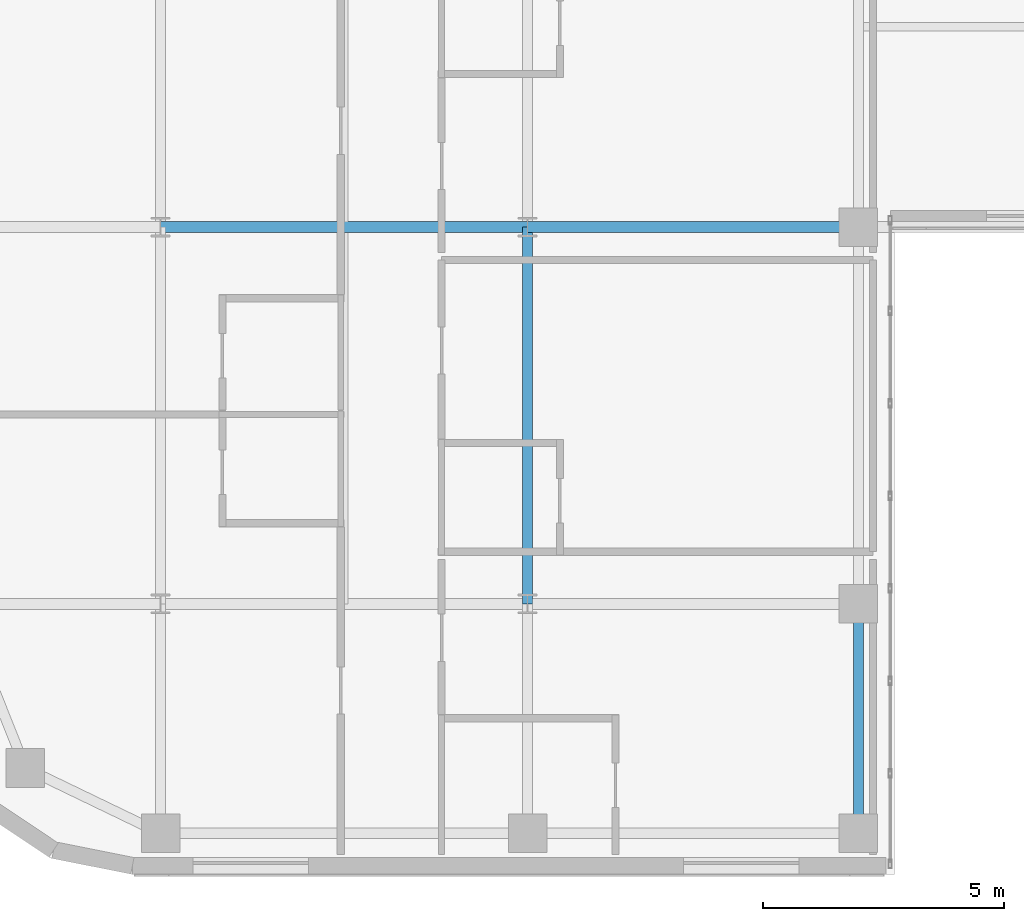
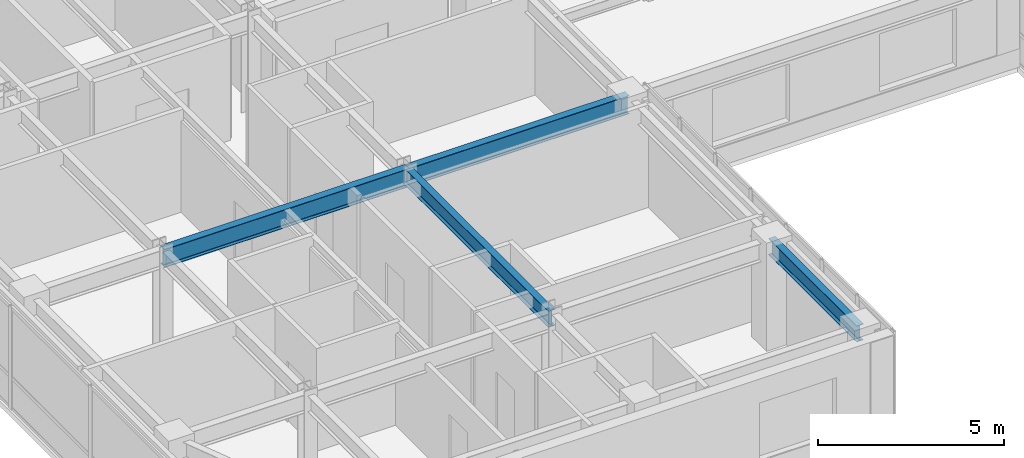
# One storey, part 6 of 28: 4 beams.
"""IFC4 building model written with IfcOpenShell, lengths in metres."""

import ifcopenshell
import ifcopenshell.guid

model = None  # the IFC model being written
_history = None  # IfcOwnerHistory: only IFC2X3 demands one
_inside = {}  # id of a spatial element -> (the spatial element, [elements in it])
_under = {}  # id of a project, library or spatial element -> (it, [spatial elements below it])
_declared = {}  # id of a project -> (the project, [libraries it declares])
_typed = {}  # id of a type object -> (the type object, [elements of that type])
_made_of = {}  # id of a material, layer set ... -> (it, [elements and type objects made of it])


def new_model(schema):
    """Start an empty IFC model of exactly this schema.

    Asked for "IFC4X3", IfcOpenShell would pick the latest addendum, in which some entities
    have other attributes; the version numbers below select the first issue.
    IFC2X3 requires an IfcOwnerHistory on every rooted entity: one is made here for all.
    """
    global model, _history
    if schema == "IFC4X3":
        model = ifcopenshell.file(schema_version=(4, 3, 0, 0))
    else:
        model = ifcopenshell.file(schema=schema)
    _inside.clear()
    _under.clear()
    _declared.clear()
    _typed.clear()
    _made_of.clear()
    _history = None
    if model.schema == "IFC2X3":
        org = make("IfcOrganization", Name="unknown")
        user = make(
            "IfcPersonAndOrganization",
            ThePerson=make("IfcPerson", FamilyName="unknown"),
            TheOrganization=org,
        )
        app = make(
            "IfcApplication",
            ApplicationDeveloper=org,
            Version="unknown",
            ApplicationFullName="unknown",
            ApplicationIdentifier="unknown",
        )
        _history = make(
            "IfcOwnerHistory",
            OwningUser=user,
            OwningApplication=app,
            ChangeAction="ADDED",
            CreationDate=0,
        )
    return model


def make(cls, **values):
    """One entity of the class cls with the attributes given. An attribute that is None is left unset."""
    return model.create_entity(
        cls, **{name: value for name, value in values.items() if value is not None}
    )


def rooted(cls, **values):
    """An entity with a GlobalId (a new one), such as an element, a storey or a relation."""
    return make(cls, GlobalId=ifcopenshell.guid.new(), OwnerHistory=_history, **values)


def si_unit(unit_type, name, prefix=None):
    """IfcSIUnit, for example si_unit("LENGTHUNIT", "METRE", prefix="MILLI")."""
    return make("IfcSIUnit", UnitType=unit_type, Prefix=prefix, Name=name)


def assignment(units):
    """IfcUnitAssignment: the units of a project."""
    return None if units is None else make("IfcUnitAssignment", Units=units)


def point(xyz):
    """IfcCartesianPoint."""
    return None if xyz is None else make("IfcCartesianPoint", Coordinates=xyz)


def direction(xyz):
    """IfcDirection."""
    return None if xyz is None else make("IfcDirection", DirectionRatios=xyz)


def frame(location, z_axis=None, x_axis=None):
    """IfcAxis2Placement3D, a coordinate frame: its origin and axes. An axis left out is left unset."""
    return make(
        "IfcAxis2Placement3D",
        Location=point(location),
        Axis=direction(z_axis),
        RefDirection=direction(x_axis),
    )


def frame_2d(location, x_axis=None):
    """IfcAxis2Placement2D, a coordinate frame in the plane: its origin and x axis."""
    return make(
        "IfcAxis2Placement2D", Location=point(location), RefDirection=direction(x_axis)
    )


def origin():
    """The frame at (0, 0, 0) with its axes left unset."""
    return frame((0.0, 0.0, 0.0))


def origin_2d():
    """The frame at (0, 0) in the plane with its x axis left unset."""
    return frame_2d((0.0, 0.0))


def place(relative_to, where):
    """IfcLocalPlacement: puts the frame where relative to a parent placement (None: the world)."""
    return make(
        "IfcLocalPlacement", PlacementRelTo=relative_to, RelativePlacement=where
    )


def context(
    kind, dimensions, precision=None, world=None, true_north=None, identifier=None
):
    """IfcGeometricRepresentationContext, for example the 3D "Model" context."""
    return make(
        "IfcGeometricRepresentationContext",
        ContextIdentifier=identifier,
        ContextType=kind,
        CoordinateSpaceDimension=dimensions,
        Precision=precision,
        WorldCoordinateSystem=world,
        TrueNorth=true_north,
    )


def subcontext(parent, identifier, kind, view, scale=None):
    """IfcGeometricRepresentationSubContext, for example "Body" below "Model"."""
    return make(
        "IfcGeometricRepresentationSubContext",
        ContextIdentifier=identifier,
        ContextType=kind,
        ParentContext=parent,
        TargetScale=scale,
        TargetView=view,
    )


def project(units=None, contexts=None):
    """IfcProject with its units and contexts."""
    return rooted(
        "IfcProject",
        Name="project",
        RepresentationContexts=contexts,
        UnitsInContext=assignment(units),
    )


def spatial(cls, under=None, at=None, **own):
    """A site, building, storey or space (cls), placed at a placement, below another one or the project."""
    s = rooted(cls, ObjectPlacement=at, **own)
    if under is not None:
        _under.setdefault(under.id(), (under, []))[1].append(s)
    return s


def profile(cls, at=None, kind="AREA", **sizes):
    """A parametric profile (cls). Its sizes go by their IFC names, for example OverallWidth=200.0."""
    return make(cls, ProfileType=kind, Position=at, **sizes)


def i_section(**sizes):
    """IfcIShapeProfileDef."""
    return profile("IfcIShapeProfileDef", **sizes)


def extrude(swept, where, along, depth):
    """IfcExtrudedAreaSolid: the profile swept, set in the frame where, extruded along a direction by depth."""
    return make(
        "IfcExtrudedAreaSolid",
        SweptArea=swept,
        Position=where,
        ExtrudedDirection=direction(along),
        Depth=depth,
    )


def shape(context_of_items, identifier, shape_type, items):
    """IfcShapeRepresentation: the items that make up one representation, for example the "Body"."""
    return make(
        "IfcShapeRepresentation",
        ContextOfItems=context_of_items,
        RepresentationIdentifier=identifier,
        RepresentationType=shape_type,
        Items=items,
    )


def source(mapping_origin, context_of_items, identifier, shape_type, items):
    """IfcRepresentationMap: a shape defined once, which mapped items show again and again."""
    return make(
        "IfcRepresentationMap",
        MappingOrigin=mapping_origin,
        MappedRepresentation=shape(context_of_items, identifier, shape_type, items),
    )


def transform(
    local_origin,
    x_axis=None,
    y_axis=None,
    z_axis=None,
    scale=None,
    scale2=None,
    scale3=None,
    uniform=True,
):
    """IfcCartesianTransformationOperator3D, or its non-uniform kind. x_axis, y_axis, z_axis: its Axis1, 2, 3."""
    if uniform:
        return make(
            "IfcCartesianTransformationOperator3D",
            Axis1=direction(x_axis),
            Axis2=direction(y_axis),
            LocalOrigin=point(local_origin),
            Scale=scale,
            Axis3=direction(z_axis),
        )
    return make(
        "IfcCartesianTransformationOperator3DnonUniform",
        Axis1=direction(x_axis),
        Axis2=direction(y_axis),
        LocalOrigin=point(local_origin),
        Scale=scale,
        Axis3=direction(z_axis),
        Scale2=scale2,
        Scale3=scale3,
    )


def mapped(mapping_source, mapping_target):
    """IfcMappedItem: shows the shape of a source again, moved by a transform."""
    return make(
        "IfcMappedItem", MappingSource=mapping_source, MappingTarget=mapping_target
    )


def material(Name=None, Category=None):
    """IfcMaterial."""
    return make("IfcMaterial", Name=Name, Category=Category)


def material_profile(
    of_material, cross_section, Name=None, Category=None, Priority=None
):
    """IfcMaterialProfile: a cross section and its material."""
    return make(
        "IfcMaterialProfile",
        Name=Name,
        Material=of_material,
        Profile=cross_section,
        Priority=Priority,
        Category=Category,
    )


def profile_set(profiles, Name=None, composite=None):
    """IfcMaterialProfileSet."""
    return make(
        "IfcMaterialProfileSet",
        Name=Name,
        MaterialProfiles=profiles,
        CompositeProfile=composite,
    )


def made_of(thing, what):
    """Note that an element or type object is made of a material, layer set ...; save() writes the relation."""
    if what is not None:
        _made_of.setdefault(what.id(), (what, []))[1].append(thing)
    return thing


def type_object(cls, material=None, **own):
    """A type object (cls), such as IfcWallType, which elements share."""
    return made_of(rooted(cls, **own), material)


def type_shapes(of_type, sources):
    """Give a type object the sources (RepresentationMaps) that its elements show as mapped items."""
    of_type.RepresentationMaps = sources


def element(
    cls,
    number,
    at=None,
    inside=None,
    cuts=None,
    type_object=None,
    material=None,
    context=None,
    identifier="Body",
    shape_type=None,
    held_by="IfcProductDefinitionShape",
    body=None,
    shapes=None,
    **own,
):
    """One element of the class cls, such as IfcWall. Its Tag is "e" and its number.

    at: its placement. inside: the storey or other place that contains it. cuts: it is an
    opening in that element (IfcRelVoidsElement). A single representation is given by context,
    identifier, shape_type and body (its items); several are given by shapes. held_by: the class
    of the entity that holds the representations. save() writes the other relations.
    """
    e = rooted(cls, Tag="e%d" % number, ObjectPlacement=at, **own)
    if body is not None:
        shapes = [shape(context, identifier, shape_type, body)]
    if shapes is not None:
        e.Representation = make(held_by, Representations=shapes)
    if inside is not None:
        _inside.setdefault(inside.id(), (inside, []))[1].append(e)
    if cuts is not None:
        rooted(
            "IfcRelVoidsElement", RelatingBuildingElement=cuts, RelatedOpeningElement=e
        )
    if type_object is not None:
        _typed.setdefault(type_object.id(), (type_object, []))[1].append(e)
    return made_of(e, material)


def aggregate(whole, parts):
    """IfcRelAggregates: a whole, such as a stair, and the parts it consists of."""
    return rooted("IfcRelAggregates", RelatingObject=whole, RelatedObjects=parts)


def save(model, path):
    """Write the relations noted so far, then the file.

    IfcRelAggregates (storeys below a building ...), IfcRelContainedInSpatialStructure (elements
    in a storey), IfcRelDefinesByType, IfcRelAssociatesMaterial and IfcRelDeclares: one each for
    every whole, place, type object, material and project.
    """
    for whole, parts in _under.values():
        aggregate(whole, parts)
    for where, things in _inside.values():
        rooted(
            "IfcRelContainedInSpatialStructure",
            RelatedElements=things,
            RelatingStructure=where,
        )
    for kind, things in _typed.values():
        rooted("IfcRelDefinesByType", RelatedObjects=things, RelatingType=kind)
    for what, things in _made_of.values():
        rooted("IfcRelAssociatesMaterial", RelatedObjects=things, RelatingMaterial=what)
    for by, libraries in _declared.values():
        rooted("IfcRelDeclares", RelatingContext=by, RelatedDefinitions=libraries)
    model.write(path)


model = new_model("IFC4")

# Units and contexts
model_context = context("Model", 3, precision=1e-05, world=origin(), true_north=direction((0.0, 1.0)))
body_context = subcontext(model_context, "Body", "Model", "MODEL_VIEW")
ifc_project = project(units=[si_unit("LENGTHUNIT", "METRE"), si_unit("AREAUNIT", "SQUARE_METRE"), si_unit("VOLUMEUNIT", "CUBIC_METRE"), si_unit("PLANEANGLEUNIT", "RADIAN"), si_unit("MASSUNIT", "GRAM", prefix="KILO")], contexts=[model_context])

# Site, building, storey
site_placement = place(None, origin())
site = spatial("IfcSite", under=ifc_project, at=site_placement, CompositionType="ELEMENT")
building_placement = place(site_placement, origin())
building = spatial("IfcBuilding", under=site, at=building_placement, Name="Tolvann Quenvar Hotel", CompositionType="ELEMENT")
storey_placement = place(building_placement, frame((0.0, 0.0, 198.199951171875)))
storey = spatial("IfcBuildingStorey", under=building, at=storey_placement, Name="L52", CompositionType="ELEMENT", Elevation=198.199951171875)

# Beams
ifc_material = material(Name="Steel Grade 350", Category="steel")
ifc_material_profile_1 = material_profile(ifc_material, i_section(OverallWidth=0.208984375, OverallDepth=0.532958984375, WebThickness=0.01025390625, FlangeThickness=0.015625, FilletRadius=0.013916015625, at=origin_2d()), Name="530UB92")
ifc_profile_set_1 = profile_set([ifc_material_profile_1], Name="Steel Grade 350")
beam_type_1 = type_object("IfcBeamType", Name="BM_GIRD_530UB92", PredefinedType="BEAM", material=ifc_profile_set_1)
shared_shape_1 = source(origin(), body_context, "Body", "SweptSolid", [
    extrude(i_section(OverallWidth=0.208984375, OverallDepth=0.532958984375, WebThickness=0.01025390625, FlangeThickness=0.015625, FilletRadius=0.013916015625, at=origin_2d()), origin(), (0.0, 0.0, 1.0), 7.800048828125),
])
beam_1_placement = place(storey_placement, frame((15.199951171875, 8.199951171875, 3.103515625), z_axis=(0.0, 1.0, 0.0), x_axis=(-1.0, 0.0, 0.0)))
element("IfcBeam", 1, at=beam_1_placement, inside=storey, type_object=beam_type_1, Name="BM-L52-NS-D3-D4", PredefinedType="BEAM", context=body_context, shape_type="MappedRepresentation", body=[
    mapped(shared_shape_1, transform((0.0, 0.0, 0.0), x_axis=(1.0, 0.0, 0.0), y_axis=(0.0, 1.0, 0.0), z_axis=(0.0, 0.0, 1.0), scale=1.0)),
])
ifc_material_profile_2 = material_profile(ifc_material, i_section(OverallWidth=0.22802734375, OverallDepth=0.60205078125, WebThickness=0.010498046875, FlangeThickness=0.014892578125, FilletRadius=0.013916015625, at=origin_2d()), Name="610UB101")
ifc_profile_set_2 = profile_set([ifc_material_profile_2], Name="Steel Grade 350")
beam_type_2 = type_object("IfcBeamType", Name="BM_GIRD_610UB101", PredefinedType="BEAM", material=ifc_profile_set_2)
shared_shape_2 = source(origin(), body_context, "Body", "SweptSolid", [
    extrude(i_section(OverallWidth=0.22802734375, OverallDepth=0.60205078125, WebThickness=0.010498046875, FlangeThickness=0.014892578125, FilletRadius=0.013916015625, at=origin_2d()), origin(), (0.0, 0.0, 1.0), 7.599853515625),
])
beam_2_placement = place(storey_placement, frame((7.60009765625, 16.0, 3.069091796875), z_axis=(1.0, 0.0, 0.0), x_axis=(0.0, 1.0, 0.0)))
element("IfcBeam", 2, at=beam_2_placement, inside=storey, type_object=beam_type_2, Name="BM-L52-EW-4-C4-D4", PredefinedType="BEAM", context=body_context, shape_type="MappedRepresentation", body=[
    mapped(shared_shape_2, transform((0.0, 0.0, 0.0), x_axis=(1.0, 0.0, 0.0), y_axis=(0.0, 1.0, 0.0), z_axis=(0.0, 0.0, 1.0), scale=1.0)),
])
shared_shape_3 = source(origin(), body_context, "Body", "SweptSolid", [
    extrude(i_section(OverallWidth=0.22802734375, OverallDepth=0.60205078125, WebThickness=0.010498046875, FlangeThickness=0.014892578125, FilletRadius=0.013916015625, at=origin_2d()), origin(), (0.0, 0.0, 1.0), 6.85009765625),
])
type_shapes(beam_type_2, [shared_shape_2, shared_shape_3])
beam_3_placement = place(storey_placement, frame((15.199951171875, 16.0, 3.069091796875), z_axis=(1.0, 0.0, 0.0), x_axis=(0.0, 1.0, 0.0)))
element("IfcBeam", 3, at=beam_3_placement, inside=storey, type_object=beam_type_2, Name="BM-L52-EW-4-D4-E4", PredefinedType="BEAM", context=body_context, shape_type="MappedRepresentation", body=[
    mapped(shared_shape_3, transform((0.0, 0.0, 0.0), x_axis=(1.0, 0.0, 0.0), y_axis=(0.0, 1.0, 0.0), z_axis=(0.0, 0.0, 1.0), scale=1.0)),
])
shared_shape_4 = source(origin(), body_context, "Body", "SweptSolid", [
    extrude(i_section(OverallWidth=0.208984375, OverallDepth=0.532958984375, WebThickness=0.01025390625, FlangeThickness=0.015625, FilletRadius=0.013916015625, at=origin_2d()), origin(), (0.0, 0.0, 1.0), 4.75),
])
type_shapes(beam_type_1, [shared_shape_1, shared_shape_4])
beam_4_placement = place(storey_placement, frame((22.050048828125, 3.449951171875, 3.103515625), z_axis=(0.0, 1.0, 0.0), x_axis=(-1.0, 0.0, 0.0)))
element("IfcBeam", 4, at=beam_4_placement, inside=storey, type_object=beam_type_1, Name="BM-L52-NS-E2-E3", PredefinedType="BEAM", context=body_context, shape_type="MappedRepresentation", body=[
    mapped(shared_shape_4, transform((0.0, 0.0, 0.0), x_axis=(1.0, 0.0, 0.0), y_axis=(0.0, 1.0, 0.0), z_axis=(0.0, 0.0, 1.0), scale=1.0)),
])

save(model, "model.ifc")
